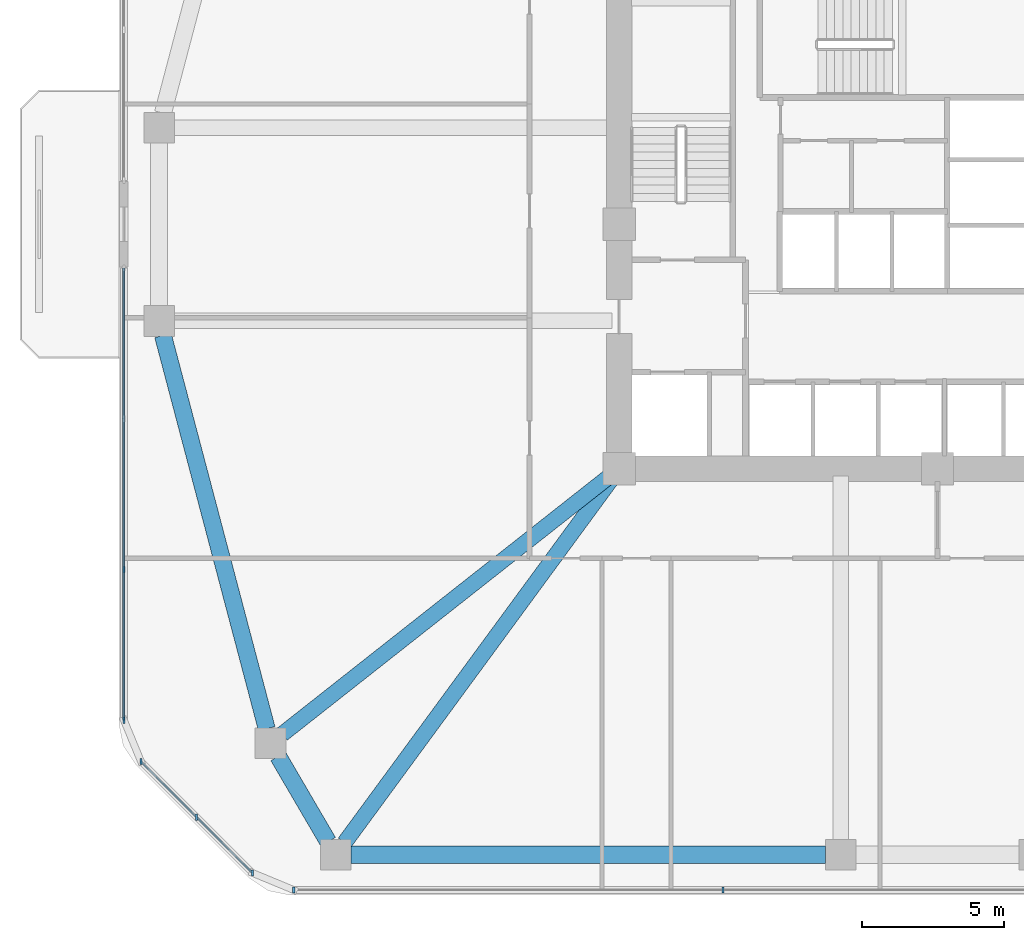
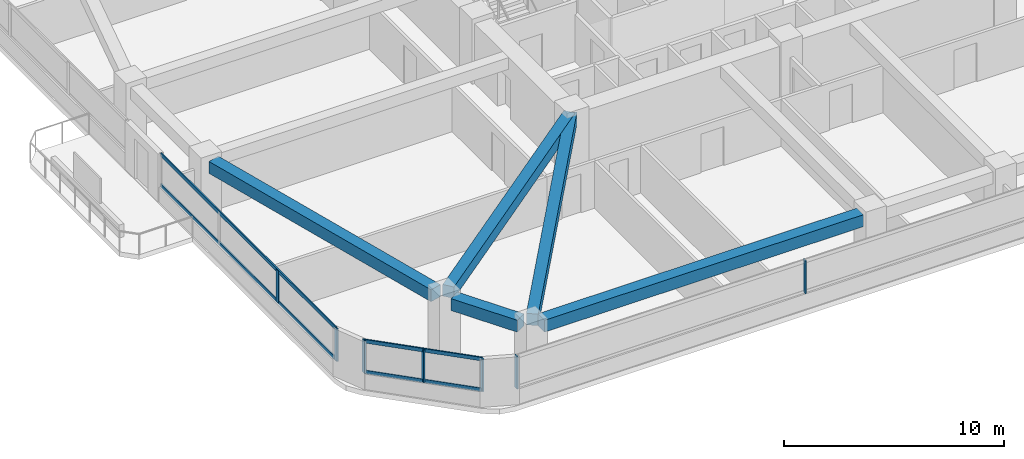
# One storey, part 2 of 15: 11 members, 5 beams, 3 elements without a shape of their own.
"""IFC4 building model written with IfcOpenShell, lengths in metres."""

from ifc_helpers import new_model, si_unit, derived_unit, direction, frame, origin, origin_2d, place, context, subcontext, project, spatial, rectangle, extrude, material, material_profile, profile_set, type_object, element, aggregate, save


model = new_model("IFC4")

# Units and contexts
model_context = context("Model", 3, precision=1e-05, world=origin(), true_north=direction((0.0, 1.0)))
body_context = subcontext(model_context, "Body", "Model", "MODEL_VIEW")
ifc_project = project(units=[si_unit("LENGTHUNIT", "METRE"), si_unit("AREAUNIT", "SQUARE_METRE"), si_unit("VOLUMEUNIT", "CUBIC_METRE"), si_unit("PLANEANGLEUNIT", "RADIAN"), si_unit("MASSUNIT", "GRAM", prefix="KILO"), derived_unit("THERMALTRANSMITTANCEUNIT", [(si_unit("POWERUNIT", "WATT"), 1), (si_unit("LENGTHUNIT", "METRE"), -2), (si_unit("THERMODYNAMICTEMPERATUREUNIT", "KELVIN"), -1)])], contexts=[model_context])

# Site, building, storey
site_placement = place(None, origin())
site = spatial("IfcSite", under=ifc_project, at=site_placement, CompositionType="ELEMENT")
building_placement = place(site_placement, origin())
building = spatial("IfcBuilding", under=site, at=building_placement, Name="Koralith Skygarden Medical Center", CompositionType="ELEMENT")
storey_placement = place(building_placement, frame((0.0, 0.0, 27.5400390625)))
storey = spatial("IfcBuildingStorey", under=building, at=storey_placement, Name="L06", CompositionType="ELEMENT", Elevation=27.5400390625)

# Curtain wall, members
ifc_material_1 = material(Name="Clear Laminated Glass", Category="glass")
curtain_wall_type = type_object("IfcCurtainWallType", Name="CW-2 Zone 1 Hurricane Unitised Curtain Wall", PredefinedType="NOTDEFINED", material=ifc_material_1)
curtain_wall_1_placement = place(storey_placement, origin())
curtain_wall_1 = element("IfcCurtainWall", 1, at=curtain_wall_1_placement, inside=storey, type_object=curtain_wall_type, Name="Curtain Wall CW-L06-S", PredefinedType="NOTDEFINED")
ifc_material_2 = material(Name="Aluminium 6063-T6", Category="aluminium")
ifc_material_profile_1 = material_profile(ifc_material_2, rectangle(XDim=0.071044921875, YDim=0.219970703125, at=origin_2d()), Name="MUL71X220")
ifc_profile_set_1 = profile_set([ifc_material_profile_1], Name="Aluminium 6063-T6")
member_type_1 = type_object("IfcMemberType", Name="CW-2 Extruded Mullion 71x220", PredefinedType="MULLION", material=ifc_profile_set_1)
member_1_placement = place(storey_placement, frame((14.35498046875, 2.47998046875, 0.849853515625), z_axis=(0.0, 0.0, 1.0), x_axis=(1.0, 0.0, 0.0)))
member_1 = element("IfcMember", 2, at=member_1_placement, type_object=member_type_1, Name="CW-L06-S Mullion 1", PredefinedType="MULLION", context=body_context, shape_type="SweptSolid", body=[
    extrude(rectangle(XDim=0.071044921875, YDim=0.219970703125, at=origin_2d()), origin(), (0.0, 0.0, 1.0), 1.800048828125),
])
member_2_placement = place(storey_placement, frame((29.451904296875, 2.47998046875, 0.849853515625), z_axis=(0.0, 0.0, 1.0), x_axis=(1.0, 0.0, 0.0)))
member_2 = element("IfcMember", 3, at=member_2_placement, type_object=member_type_1, Name="CW-L06-S Mullion 2", PredefinedType="MULLION", context=body_context, shape_type="SweptSolid", body=[
    extrude(rectangle(XDim=0.071044921875, YDim=0.219970703125, at=origin_2d()), origin(), (0.0, 0.0, 1.0), 1.800048828125),
])
aggregate(curtain_wall_1, [member_1, member_2])

curtain_wall_2_placement = place(storey_placement, origin())
curtain_wall_2 = element("IfcCurtainWall", 4, at=curtain_wall_2_placement, inside=storey, type_object=curtain_wall_type, Name="Curtain Wall CW-L06-W-R", PredefinedType="NOTDEFINED")
member_3_placement = place(storey_placement, frame((8.3798828125, 13.757080078125, 0.849853515625), z_axis=(0.0, 0.0, 1.0), x_axis=(1.0, 0.0, 0.0)))
member_3 = element("IfcMember", 5, at=member_3_placement, type_object=member_type_1, Name="CW-L06-W-R Mullion 3", PredefinedType="MULLION", context=body_context, shape_type="SweptSolid", body=[
    extrude(rectangle(XDim=0.071044921875, YDim=0.219970703125, at=origin_2d()), origin(), (0.0, 0.0, 1.0), 1.800048828125),
])
member_4_placement = place(storey_placement, frame((8.3798828125, 8.455078125, 0.849853515625), z_axis=(0.0, 0.0, 1.0), x_axis=(1.0, 0.0, 0.0)))
member_4 = element("IfcMember", 6, at=member_4_placement, type_object=member_type_1, Name="CW-L06-W-R Mullion 4", PredefinedType="MULLION", context=body_context, shape_type="SweptSolid", body=[
    extrude(rectangle(XDim=0.071044921875, YDim=0.219970703125, at=origin_2d()), origin(), (0.0, 0.0, 1.0), 1.800048828125),
])

curtain_wall_3_placement = place(storey_placement, origin())
curtain_wall_3 = element("IfcCurtainWall", 7, at=curtain_wall_3_placement, inside=storey, type_object=curtain_wall_type, Name="Curtain Wall CW-L06-SW", PredefinedType="NOTDEFINED")
member_5_placement = place(storey_placement, frame((8.98095703125, 7.00390625, 0.849853515625), z_axis=(0.0, 0.0, 1.0), x_axis=(1.0, 0.0, 0.0)))
member_5 = element("IfcMember", 8, at=member_5_placement, type_object=member_type_1, Name="CW-L06-SW Mullion 1", PredefinedType="MULLION", context=body_context, shape_type="SweptSolid", body=[
    extrude(rectangle(XDim=0.071044921875, YDim=0.219970703125, at=origin_2d()), origin(), (0.0, 0.0, 1.0), 1.800048828125),
])
member_6_placement = place(storey_placement, frame((10.94189453125, 5.04296875, 0.849853515625), z_axis=(0.0, 0.0, 1.0), x_axis=(1.0, 0.0, 0.0)))
member_6 = element("IfcMember", 9, at=member_6_placement, type_object=member_type_1, Name="CW-L06-SW Mullion 2", PredefinedType="MULLION", context=body_context, shape_type="SweptSolid", body=[
    extrude(rectangle(XDim=0.071044921875, YDim=0.219970703125, at=origin_2d()), origin(), (0.0, 0.0, 1.0), 1.800048828125),
])
member_7_placement = place(storey_placement, frame((12.904052734375, 3.0810546875, 0.849853515625), z_axis=(0.0, 0.0, 1.0), x_axis=(1.0, 0.0, 0.0)))
member_7 = element("IfcMember", 10, at=member_7_placement, type_object=member_type_1, Name="CW-L06-SW Mullion 3", PredefinedType="MULLION", context=body_context, shape_type="SweptSolid", body=[
    extrude(rectangle(XDim=0.071044921875, YDim=0.219970703125, at=origin_2d()), origin(), (0.0, 0.0, 1.0), 1.800048828125),
])

# Member
ifc_material_profile_2 = material_profile(ifc_material_2, rectangle(XDim=0.06591796875, YDim=0.197998046875, at=origin_2d()), Name="TRN66X198")
ifc_profile_set_2 = profile_set([ifc_material_profile_2], Name="Aluminium 6063-T6")
member_type_2 = type_object("IfcMemberType", Name="CW-2 Thermal Transom 66x198", PredefinedType="USERDEFINED", material=ifc_profile_set_2)
member_8_placement = place(storey_placement, frame((8.3798828125, 24.360107421875, 0.89990234375), z_axis=(0.0, -1.0, 0.0), x_axis=(1.0, 0.0, 0.0)))
member_8 = element("IfcMember", 11, at=member_8_placement, type_object=member_type_2, Name="CW-L06-W-R Transom 1", ObjectType="TRANSOM", PredefinedType="USERDEFINED", context=body_context, shape_type="SweptSolid", body=[
    extrude(rectangle(XDim=0.06591796875, YDim=0.197998046875, at=origin_2d()), origin(), (0.0, 0.0, 1.0), 15.905029296875),
])

member_9_placement = place(storey_placement, frame((8.3798828125, 24.360107421875, 2.599853515625), z_axis=(0.0, -1.0, 0.0), x_axis=(1.0, 0.0, 0.0)))
member_9 = element("IfcMember", 12, at=member_9_placement, type_object=member_type_2, Name="CW-L06-W-R Transom 2", ObjectType="TRANSOM", PredefinedType="USERDEFINED", context=body_context, shape_type="SweptSolid", body=[
    extrude(rectangle(XDim=0.06591796875, YDim=0.197998046875, at=origin_2d()), origin(), (0.0, 0.0, 1.0), 15.905029296875),
])

aggregate(curtain_wall_2, [member_3, member_4, member_8, member_9])

member_10_placement = place(storey_placement, frame((8.98095703125, 7.00390625, 0.89990234375), z_axis=(0.707128783731, -0.707084777957, 0.0), x_axis=(0.707084777957, 0.707128783731, 0.0)))
member_10 = element("IfcMember", 13, at=member_10_placement, type_object=member_type_2, Name="CW-L06-SW Transom 1", ObjectType="TRANSOM", PredefinedType="USERDEFINED", context=body_context, shape_type="SweptSolid", body=[
    extrude(rectangle(XDim=0.06591796875, YDim=0.197998046875, at=origin_2d()), origin(), (0.0, 0.0, 1.0), 5.5478515625),
])

member_11_placement = place(storey_placement, frame((8.98095703125, 7.00390625, 2.599853515625), z_axis=(0.707128783731, -0.707084777957, 0.0), x_axis=(0.707084777957, 0.707128783731, 0.0)))
member_11 = element("IfcMember", 14, at=member_11_placement, type_object=member_type_2, Name="CW-L06-SW Transom 2", ObjectType="TRANSOM", PredefinedType="USERDEFINED", context=body_context, shape_type="SweptSolid", body=[
    extrude(rectangle(XDim=0.06591796875, YDim=0.197998046875, at=origin_2d()), origin(), (0.0, 0.0, 1.0), 5.5478515625),
])

aggregate(curtain_wall_3, [member_5, member_6, member_7, member_10, member_11])

# Beams
ifc_material_3 = material(Name="Concrete C45/55", Category="concrete")
ifc_material_profile_3 = material_profile(ifc_material_3, rectangle(XDim=0.550048828125, YDim=0.639892578125, at=origin_2d()), Name="RCB550X640")
ifc_profile_set_3 = profile_set([ifc_material_profile_3], Name="Concrete C45/55")
beam_type_1 = type_object("IfcBeamType", Name="Radial Collector Beam RCB550X640", PredefinedType="BEAM", material=ifc_profile_set_3)
beam_1_placement = place(storey_placement, frame((25.60400390625, 17.14501953125, 3.0), z_axis=(-0.785497250365, -0.618865146594, 0.0), x_axis=(0.618865146594, -0.785497250365, 0.0)))
element("IfcBeam", 15, at=beam_1_placement, inside=storey, type_object=beam_type_1, Name="L06 Radial Collector Beam RB-02", PredefinedType="BEAM", context=body_context, shape_type="SweptSolid", body=[
    extrude(rectangle(XDim=0.550048828125, YDim=0.639892578125, at=origin_2d()), origin(), (0.0, 0.0, 1.0), 14.828857421875),
])
beam_2_placement = place(storey_placement, frame((25.652099609375, 17.097900390625, 3.0), z_axis=(-0.591718052249, -0.806144991079, 0.0), x_axis=(0.806144991079, -0.591718052249, 0.0)))
element("IfcBeam", 16, at=beam_2_placement, inside=storey, type_object=beam_type_1, Name="L06 Radial Collector Beam RB-03", PredefinedType="BEAM", context=body_context, shape_type="SweptSolid", body=[
    extrude(rectangle(XDim=0.550048828125, YDim=0.639892578125, at=origin_2d()), origin(), (0.0, 0.0, 1.0), 16.065185546875),
])
ifc_material_profile_4 = material_profile(ifc_material_3, rectangle(XDim=0.60009765625, YDim=0.659912109375, at=origin_2d()), Name="RCB600X660")
ifc_profile_set_4 = profile_set([ifc_material_profile_4], Name="Concrete C45/55")
beam_type_2 = type_object("IfcBeamType", Name="Zone 1 Spandrel Beam RCB600X660", PredefinedType="SPANDREL", material=ifc_profile_set_4)
beam_3_placement = place(storey_placement, frame((9.7548828125, 21.988037109375, 2.989990234375), z_axis=(0.255088684842, -0.966917660851, 0.0), x_axis=(0.966917660851, 0.255088684842, 0.0)))
element("IfcBeam", 17, at=beam_3_placement, inside=storey, type_object=beam_type_2, Name="L06 Perimeter Spandrel Beam SP-01", PredefinedType="SPANDREL", context=body_context, shape_type="SweptSolid", body=[
    extrude(rectangle(XDim=0.60009765625, YDim=0.659912109375, at=origin_2d()), origin(), (0.0, 0.0, 1.0), 14.309326171875),
])
beam_4_placement = place(storey_placement, frame((13.80810546875, 7.181884765625, 2.989990234375), z_axis=(0.504638660636, -0.863330656349, 0.0), x_axis=(0.863330656349, 0.504638660636, 0.0)))
element("IfcBeam", 18, at=beam_4_placement, inside=storey, type_object=beam_type_2, Name="L06 Perimeter Spandrel Beam SP-02", PredefinedType="SPANDREL", context=body_context, shape_type="SweptSolid", body=[
    extrude(rectangle(XDim=0.60009765625, YDim=0.659912109375, at=origin_2d()), origin(), (0.0, 0.0, 1.0), 3.4794921875),
])
beam_5_placement = place(storey_placement, frame((16.362060546875, 3.719970703125, 2.989990234375), z_axis=(1.0, 0.0, 0.0), x_axis=(0.0, 1.0, 0.0)))
element("IfcBeam", 19, at=beam_5_placement, inside=storey, type_object=beam_type_2, Name="L06 Perimeter Spandrel Beam SP-03", PredefinedType="SPANDREL", context=body_context, shape_type="SweptSolid", body=[
    extrude(rectangle(XDim=0.60009765625, YDim=0.659912109375, at=origin_2d()), origin(), (0.0, 0.0, 1.0), 16.7080078125),
])

save(model, "model.ifc")
